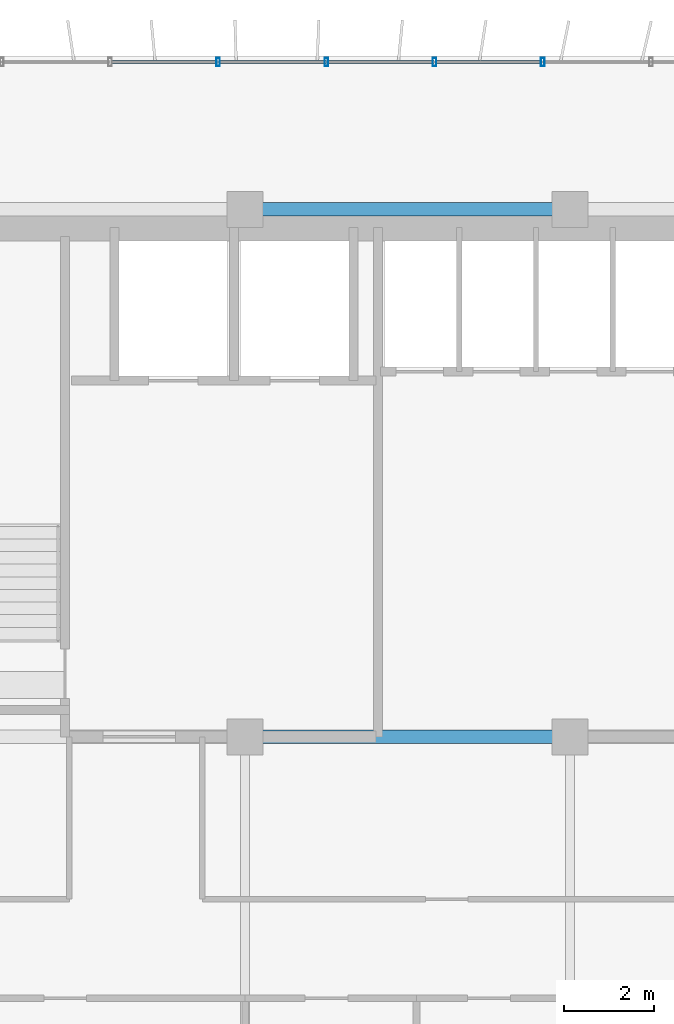
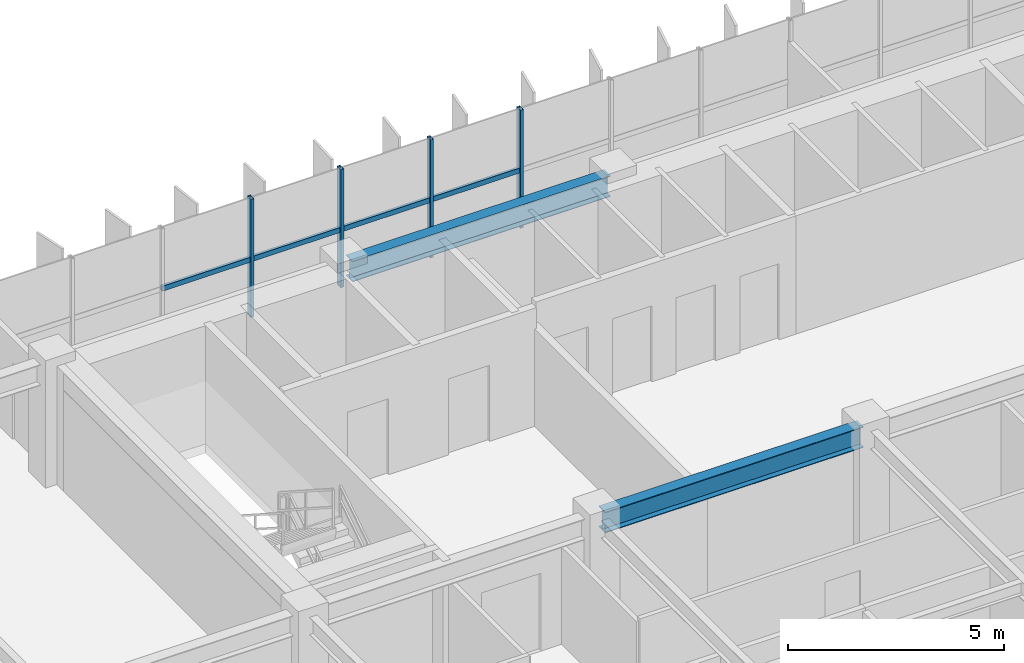
# One storey, part 6 of 21: 8 members, 2 beams, 1 element without a shape of its own.
"""IFC4 building model written with IfcOpenShell, lengths in metres."""

from ifc_helpers import new_model, si_unit, direction, frame, origin, origin_2d, place, context, subcontext, project, spatial, hollow_rectangle, i_section, extrude, source, transform, mapped, material, material_profile, profile_set, type_object, element, aggregate, save


model = new_model("IFC4")

# Units and contexts
model_context = context("Model", 3, precision=1e-05, world=origin(), true_north=direction((0.0, 1.0)))
body_context = subcontext(model_context, "Body", "Model", "MODEL_VIEW")
ifc_project = project(units=[si_unit("LENGTHUNIT", "METRE"), si_unit("AREAUNIT", "SQUARE_METRE"), si_unit("VOLUMEUNIT", "CUBIC_METRE"), si_unit("PLANEANGLEUNIT", "RADIAN"), si_unit("MASSUNIT", "GRAM", prefix="KILO")], contexts=[model_context])

# Site, building, storey
site_placement = place(None, origin())
site = spatial("IfcSite", under=ifc_project, at=site_placement, CompositionType="ELEMENT")
building_placement = place(site_placement, origin())
building = spatial("IfcBuilding", under=site, at=building_placement, Name="Trelvane Seafront Commons", CompositionType="ELEMENT")
storey_placement = place(building_placement, frame((0.0, 0.0, 110.5)))
storey = spatial("IfcBuildingStorey", under=building, at=storey_placement, Name="L28", CompositionType="ELEMENT", Elevation=110.5)

# Beams
ifc_material_1 = material(Name="Steel SM355 (S355)", Category="steel")
ifc_material_profile_1 = material_profile(ifc_material_1, i_section(OverallWidth=0.300048828125, OverallDepth=0.587890625, WebThickness=0.011962890625, FlangeThickness=0.02001953125, at=origin_2d()), Name="H-588x300x12x20")
ifc_profile_set_1 = profile_set([ifc_material_profile_1], Name="Steel SM355 (S355)")
beam_type = type_object("IfcBeamType", Name="STR-BM-H588", PredefinedType="BEAM", material=ifc_profile_set_1)
shared_shape_1 = source(origin(), body_context, "Body", "SweptSolid", [
    extrude(i_section(OverallWidth=0.300048828125, OverallDepth=0.587890625, WebThickness=0.011962890625, FlangeThickness=0.02001953125, at=origin_2d()), origin(), (0.0, 0.0, 1.0), 6.89990234375),
])
for number, where, z_axis, x_axis, name in (
    (1, (23.550048828125, 33.39990234375, 3.0458984375), (1.0, 0.0, 0.0), (0.0, 1.0, 0.0), "L28 Primary Girder G-22"),
    (2, (23.550048828125, 45.10009765625, 3.0458984375), (1.0, 0.0, 0.0), (0.0, 1.0, 0.0), "L28 Primary Girder G-31"),
):
    element("IfcBeam", number, at=place(storey_placement, frame(where, z_axis=z_axis, x_axis=x_axis)), inside=storey, type_object=beam_type, Name=name, PredefinedType="BEAM", context=body_context, shape_type="MappedRepresentation", body=[
        mapped(shared_shape_1, transform((0.0, 0.0, 0.0), x_axis=(1.0, 0.0, 0.0), y_axis=(0.0, 1.0, 0.0), z_axis=(0.0, 0.0, 1.0), scale=1.0)),
    ])

# Curtain wall, members
ifc_material_2 = material(Name="Anodised pale-silver aluminium", Category="aluminium")
curtain_wall_type = type_object("IfcCurtainWallType", Name="ARCH-CW4-SKYLOBBY", PredefinedType="NOTDEFINED", material=ifc_material_2)
curtain_wall_placement = place(storey_placement, origin())
curtain_wall = element("IfcCurtainWall", 3, at=curtain_wall_placement, inside=storey, type_object=curtain_wall_type, Name="CW-L28-0053", PredefinedType="NOTDEFINED")
ifc_material_profile_2 = material_profile(ifc_material_2, hollow_rectangle(XDim=0.074951171875, YDim=0.139892578125, WallThickness=0.00390625, at=origin_2d()), Name="TRAN-75x140x4")
ifc_profile_set_2 = profile_set([ifc_material_profile_2], Name="Anodised pale-silver aluminium")
member_type_1 = type_object("IfcMemberType", Name="ARCH-CW-TRAN-140", PredefinedType="USERDEFINED", material=ifc_profile_set_2)
shared_shape_2 = source(origin(), body_context, "Body", "SweptSolid", [
    extrude(hollow_rectangle(XDim=0.074951171875, YDim=0.139892578125, WallThickness=0.00390625, at=origin_2d()), origin(), (0.0, 0.0, 1.0), 2.3759765625),
])
member_1_placement = place(storey_placement, frame((20.412109375, 48.3701171875, 1.60302734375), z_axis=(1.0, 0.0, 0.0), x_axis=(0.0, 1.0, 0.0)))
member_1 = element("IfcMember", 4, at=member_1_placement, type_object=member_type_1, Name="CW-L28-0053-T02", ObjectType="TRANSOM", PredefinedType="USERDEFINED", context=body_context, shape_type="MappedRepresentation", body=[
    mapped(shared_shape_2, transform((0.0, 0.0, 0.0), x_axis=(1.0, 0.0, 0.0), y_axis=(0.0, 1.0, 0.0), z_axis=(0.0, 0.0, 1.0), scale=1.0)),
])
member_2_placement = place(storey_placement, frame((22.81201171875, 48.3701171875, 1.60302734375), z_axis=(1.0, 0.0, 0.0), x_axis=(0.0, 1.0, 0.0)))
member_2 = element("IfcMember", 5, at=member_2_placement, type_object=member_type_1, Name="CW-L28-0053-T03", ObjectType="TRANSOM", PredefinedType="USERDEFINED", context=body_context, shape_type="MappedRepresentation", body=[
    mapped(shared_shape_2, transform((0.0, 0.0, 0.0), x_axis=(1.0, 0.0, 0.0), y_axis=(0.0, 1.0, 0.0), z_axis=(0.0, 0.0, 1.0), scale=1.0)),
])
member_3_placement = place(storey_placement, frame((25.2119140625, 48.3701171875, 1.60302734375), z_axis=(1.0, 0.0, 0.0), x_axis=(0.0, 1.0, 0.0)))
member_3 = element("IfcMember", 6, at=member_3_placement, type_object=member_type_1, Name="CW-L28-0053-T04", ObjectType="TRANSOM", PredefinedType="USERDEFINED", context=body_context, shape_type="MappedRepresentation", body=[
    mapped(shared_shape_2, transform((0.0, 0.0, 0.0), x_axis=(1.0, 0.0, 0.0), y_axis=(0.0, 1.0, 0.0), z_axis=(0.0, 0.0, 1.0), scale=1.0)),
])
member_4_placement = place(storey_placement, frame((27.612060546875, 48.3701171875, 1.60302734375), z_axis=(1.0, 0.0, 0.0), x_axis=(0.0, 1.0, 0.0)))
member_4 = element("IfcMember", 7, at=member_4_placement, type_object=member_type_1, Name="CW-L28-0053-T05", ObjectType="TRANSOM", PredefinedType="USERDEFINED", context=body_context, shape_type="MappedRepresentation", body=[
    mapped(shared_shape_2, transform((0.0, 0.0, 0.0), x_axis=(1.0, 0.0, 0.0), y_axis=(0.0, 1.0, 0.0), z_axis=(0.0, 0.0, 1.0), scale=1.0)),
])
ifc_material_profile_3 = material_profile(ifc_material_2, hollow_rectangle(XDim=0.080078125, YDim=0.179931640625, WallThickness=0.00439453125, at=origin_2d()), Name="MULL-80x180x4.5")
ifc_profile_set_3 = profile_set([ifc_material_profile_3], Name="Anodised pale-silver aluminium")
member_type_2 = type_object("IfcMemberType", Name="ARCH-CW-MULL-180", PredefinedType="MULLION", material=ifc_profile_set_3)
shared_shape_3 = source(origin(), body_context, "Body", "SweptSolid", [
    extrude(hollow_rectangle(XDim=0.080078125, YDim=0.179931640625, WallThickness=0.00439453125, at=origin_2d()), origin(), (0.0, 0.0, 1.0), 3.340087890625),
])
member_5_placement = place(storey_placement, frame((22.800048828125, 48.3701171875, 0.0), z_axis=(0.0, 0.0, 1.0), x_axis=(1.0, 0.0, 0.0)))
member_5 = element("IfcMember", 8, at=member_5_placement, type_object=member_type_2, Name="CW-L28-0053-M03", PredefinedType="MULLION", context=body_context, shape_type="MappedRepresentation", body=[
    mapped(shared_shape_3, transform((0.0, 0.0, 0.0), x_axis=(1.0, 0.0, 0.0), y_axis=(0.0, 1.0, 0.0), z_axis=(0.0, 0.0, 1.0), scale=1.0)),
])
member_6_placement = place(storey_placement, frame((25.199951171875, 48.3701171875, 0.0), z_axis=(0.0, 0.0, 1.0), x_axis=(1.0, 0.0, 0.0)))
member_6 = element("IfcMember", 9, at=member_6_placement, type_object=member_type_2, Name="CW-L28-0053-M04", PredefinedType="MULLION", context=body_context, shape_type="MappedRepresentation", body=[
    mapped(shared_shape_3, transform((0.0, 0.0, 0.0), x_axis=(1.0, 0.0, 0.0), y_axis=(0.0, 1.0, 0.0), z_axis=(0.0, 0.0, 1.0), scale=1.0)),
])
member_7_placement = place(storey_placement, frame((27.60009765625, 48.3701171875, 0.0), z_axis=(0.0, 0.0, 1.0), x_axis=(1.0, 0.0, 0.0)))
member_7 = element("IfcMember", 10, at=member_7_placement, type_object=member_type_2, Name="CW-L28-0053-M05", PredefinedType="MULLION", context=body_context, shape_type="MappedRepresentation", body=[
    mapped(shared_shape_3, transform((0.0, 0.0, 0.0), x_axis=(1.0, 0.0, 0.0), y_axis=(0.0, 1.0, 0.0), z_axis=(0.0, 0.0, 1.0), scale=1.0)),
])
member_8_placement = place(storey_placement, frame((30.0, 48.3701171875, 0.0), z_axis=(0.0, 0.0, 1.0), x_axis=(1.0, 0.0, 0.0)))
member_8 = element("IfcMember", 11, at=member_8_placement, type_object=member_type_2, Name="CW-L28-0053-M06", PredefinedType="MULLION", context=body_context, shape_type="MappedRepresentation", body=[
    mapped(shared_shape_3, transform((0.0, 0.0, 0.0), x_axis=(1.0, 0.0, 0.0), y_axis=(0.0, 1.0, 0.0), z_axis=(0.0, 0.0, 1.0), scale=1.0)),
])
aggregate(curtain_wall, [member_5, member_6, member_7, member_8, member_1, member_2, member_3, member_4])

save(model, "model.ifc")
